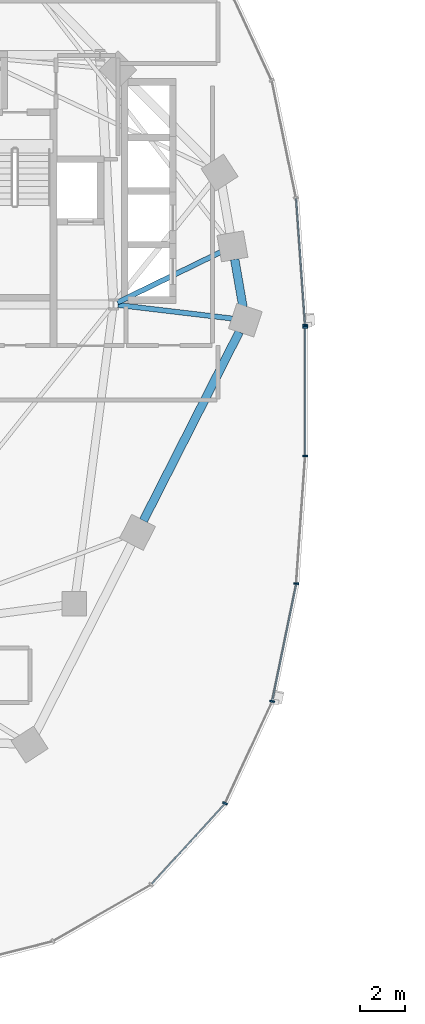
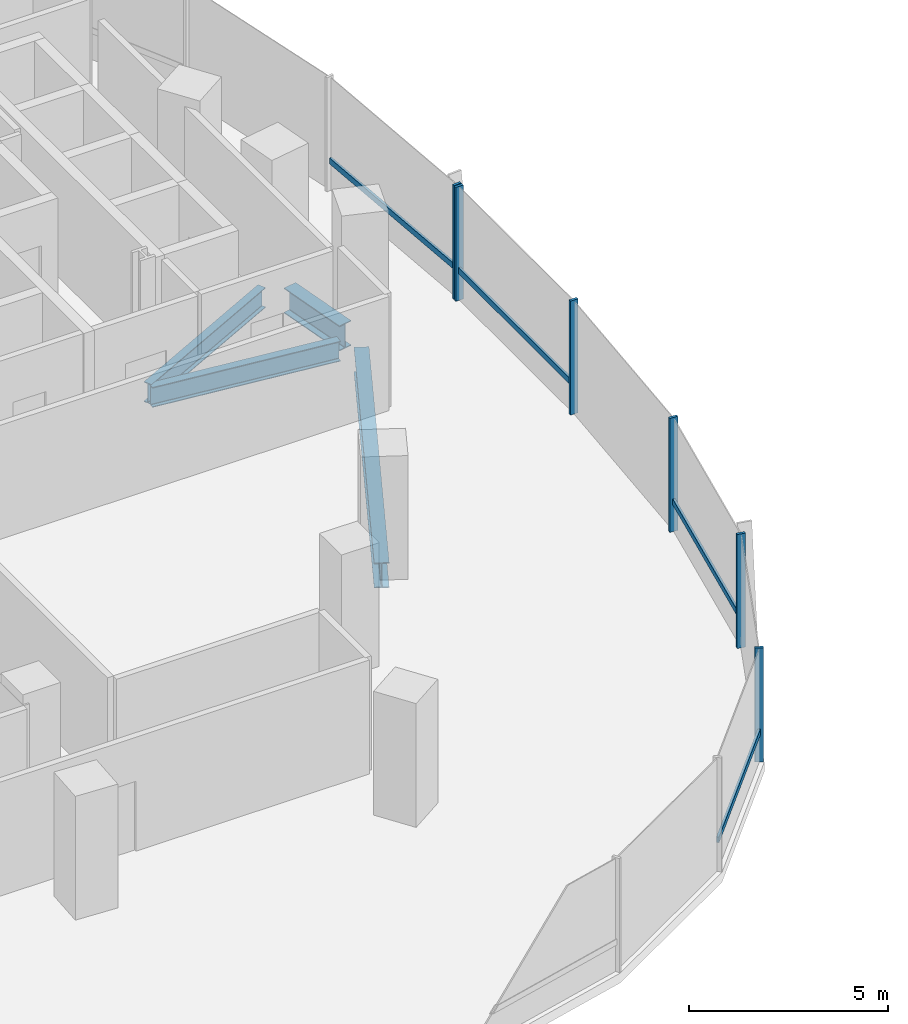
# One storey, part 3 of 21: 10 members, 4 beams, 2 elements without a shape of their own.
"""IFC4 building model written with IfcOpenShell, lengths in metres."""

from ifc_helpers import new_model, si_unit, direction, frame, origin, origin_2d, place, context, subcontext, project, spatial, rectangle, i_section, extrude, material, material_profile, profile_set, type_object, element, aggregate, save


model = new_model("IFC4")

# Units and contexts
model_context = context("Model", 3, precision=1e-05, world=origin(), true_north=direction((0.0, 1.0)))
body_context = subcontext(model_context, "Body", "Model", "MODEL_VIEW")
ifc_project = project(units=[si_unit("LENGTHUNIT", "METRE"), si_unit("AREAUNIT", "SQUARE_METRE"), si_unit("VOLUMEUNIT", "CUBIC_METRE"), si_unit("PLANEANGLEUNIT", "RADIAN"), si_unit("MASSUNIT", "GRAM", prefix="KILO"), si_unit("THERMODYNAMICTEMPERATUREUNIT", "KELVIN"), si_unit("POWERUNIT", "WATT")], contexts=[model_context])

# Site, building, storey
site_placement = place(None, origin())
site = spatial("IfcSite", under=ifc_project, at=site_placement, CompositionType="ELEMENT")
building_placement = place(site_placement, origin())
building = spatial("IfcBuilding", under=site, at=building_placement, Name="Cundina Bronze Exchange", CompositionType="ELEMENT")
storey_placement = place(building_placement, frame((0.0, 0.0, 69.60009765625)))
storey = spatial("IfcBuildingStorey", under=building, at=storey_placement, Name="L17", CompositionType="ELEMENT", Elevation=69.60009765625)

# Beams
ifc_material_1 = material(Name="Steel ASTM A992 Grade 50", Category="steel")
ifc_material_profile_1 = material_profile(ifc_material_1, i_section(OverallWidth=0.22998046875, OverallDepth=0.616943359375, WebThickness=0.01318359375, FlangeThickness=0.022216796875, FilletRadius=0.013916015625, at=origin_2d()), Name="W24X94", Category="steel")
ifc_profile_set_1 = profile_set([ifc_material_profile_1], Name="Steel ASTM A992 Grade 50")
beam_type_1 = type_object("IfcBeamType", Name="BM-FLR-W24B", PredefinedType="BEAM", material=ifc_profile_set_1)
beam_1_placement = place(storey_placement, frame((-21.247314453125, 3.8759765625, -0.608642578125), z_axis=(0.993035236117, -0.117817739878, 0.0), x_axis=(0.117817739878, 0.993035236117, 0.0)))
element("IfcBeam", 1, at=beam_1_placement, inside=storey, type_object=beam_type_1, Name="L17 Leg W Radial Floor Beam 00", PredefinedType="BEAM", context=body_context, shape_type="SweptSolid", body=[
    extrude(i_section(OverallWidth=0.22998046875, OverallDepth=0.616943359375, WebThickness=0.01318359375, FlangeThickness=0.022216796875, FilletRadius=0.013916015625, at=origin_2d()), origin(), (0.0, 0.0, 1.0), 5.1494140625),
])
beam_2_placement = place(storey_placement, frame((-21.2666015625, 3.989501953125, -0.608642578125), z_axis=(0.898610249448, 0.438747785849, 0.0), x_axis=(-0.438747785849, 0.898610249448, 0.0)))
element("IfcBeam", 2, at=beam_2_placement, inside=storey, type_object=beam_type_1, Name="L17 Leg W Radial Floor Beam 01", PredefinedType="BEAM", context=body_context, shape_type="SweptSolid", body=[
    extrude(i_section(OverallWidth=0.22998046875, OverallDepth=0.616943359375, WebThickness=0.01318359375, FlangeThickness=0.022216796875, FilletRadius=0.013916015625, at=origin_2d()), origin(), (0.0, 0.0, 1.0), 5.1337890625),
])
ifc_material_profile_2 = material_profile(ifc_material_1, i_section(OverallWidth=0.381103515625, OverallDepth=0.77294921875, WebThickness=0.0166015625, FlangeThickness=0.027099609375, FilletRadius=0.01904296875, at=origin_2d()), Name="W30X173", Category="steel")
ifc_profile_set_2 = profile_set([ifc_material_profile_2], Name="Steel ASTM A992 Grade 50")
beam_type_2 = type_object("IfcBeamType", Name="BM-RING-W30", PredefinedType="USERDEFINED", material=ifc_profile_set_2)
beam_3_placement = place(storey_placement, frame((-15.65087890625, 3.779296875, -0.6865234375), z_axis=(-0.171734584051, 0.985143254883, 0.0), x_axis=(-0.985143254883, -0.171734584051, 0.0)))
element("IfcBeam", 3, at=beam_3_placement, inside=storey, type_object=beam_type_2, Name="L17 W Perimeter Ring Girder 00", ObjectType="GIRDER", PredefinedType="USERDEFINED", context=body_context, shape_type="SweptSolid", body=[
    extrude(i_section(OverallWidth=0.381103515625, OverallDepth=0.77294921875, WebThickness=0.0166015625, FlangeThickness=0.027099609375, FilletRadius=0.01904296875, at=origin_2d()), origin(), (0.0, 0.0, 1.0), 2.173583984375),
])
beam_4_placement = place(storey_placement, frame((-20.108642578125, -5.775634765625, -0.6865234375), z_axis=(0.452819633606, 0.891602141889, 0.0), x_axis=(-0.891602141889, 0.452819633606, 0.0)))
element("IfcBeam", 4, at=beam_4_placement, inside=storey, type_object=beam_type_2, Name="L17 W Perimeter Ring Girder 13", ObjectType="GIRDER", PredefinedType="USERDEFINED", context=body_context, shape_type="SweptSolid", body=[
    extrude(i_section(OverallWidth=0.381103515625, OverallDepth=0.77294921875, WebThickness=0.0166015625, FlangeThickness=0.027099609375, FilletRadius=0.01904296875, at=origin_2d()), origin(), (0.0, 0.0, 1.0), 9.47900390625),
])

# Curtain wall, member
ifc_material_2 = material(Name="Anodised Bronze Aluminium 6063-T6", Category="aluminium")
curtain_wall_type = type_object("IfcCurtainWallType", Name="CWS-TRD-LOW", PredefinedType="NOTDEFINED", material=ifc_material_2)
curtain_wall_1_placement = place(storey_placement, origin())
curtain_wall_1 = element("IfcCurtainWall", 5, at=curtain_wall_1_placement, inside=storey, type_object=curtain_wall_type, Name="L17 CW-02 Curtain Wall Run CWR-L17-W1", PredefinedType="NOTDEFINED")
ifc_material_profile_3 = material_profile(ifc_material_2, rectangle(XDim=0.074951171875, YDim=0.219970703125, at=origin_2d()), Name="AL75X220", Category="aluminium")
ifc_profile_set_3 = profile_set([ifc_material_profile_3], Name="Anodised Bronze Aluminium 6063-T6")
member_type_1 = type_object("IfcMemberType", Name="CWM-MUL-220", PredefinedType="MULLION", material=ifc_profile_set_3)
member_1_placement = place(storey_placement, frame((-12.87548828125, 2.976318359375, 0.0), z_axis=(0.0, 0.0, 1.0), x_axis=(-0.070278787473, 0.997527389113, 0.0)))
member_1 = element("IfcMember", 6, at=member_1_placement, type_object=member_type_1, Name="CW-02 Mullion 1", PredefinedType="MULLION", context=body_context, shape_type="SweptSolid", body=[
    extrude(rectangle(XDim=0.074951171875, YDim=0.219970703125, at=origin_2d()), origin(), (0.0, 0.0, 1.0), 3.5),
])

# Curtain wall, members
curtain_wall_2_placement = place(storey_placement, origin())
curtain_wall_2 = element("IfcCurtainWall", 7, at=curtain_wall_2_placement, inside=storey, type_object=curtain_wall_type, Name="L17 CW-02 Curtain Wall Run CWR-L17-W4", PredefinedType="NOTDEFINED")
member_2_placement = place(storey_placement, frame((-16.455810546875, -18.423583984375, 0.0), z_axis=(0.0, 0.0, 1.0), x_axis=(0.42087749791, 0.907117485088, 0.0)))
member_2 = element("IfcMember", 8, at=member_2_placement, type_object=member_type_1, Name="CW-02 Mullion 4", PredefinedType="MULLION", context=body_context, shape_type="SweptSolid", body=[
    extrude(rectangle(XDim=0.074951171875, YDim=0.219970703125, at=origin_2d()), origin(), (0.0, 0.0, 1.0), 3.5),
])
member_3_placement = place(storey_placement, frame((-14.348876953125, -13.861328125, 0.0), z_axis=(0.0, 0.0, 1.0), x_axis=(0.201419845156, 0.979505000486, 0.0)))
member_3 = element("IfcMember", 9, at=member_3_placement, type_object=member_type_1, Name="CW-02 Mullion 5", PredefinedType="MULLION", context=body_context, shape_type="SweptSolid", body=[
    extrude(rectangle(XDim=0.074951171875, YDim=0.219970703125, at=origin_2d()), origin(), (0.0, 0.0, 1.0), 3.5),
])
member_4_placement = place(storey_placement, frame((-13.27099609375, -8.591552734375, 0.0), z_axis=(0.0, 0.0, 1.0), x_axis=(0.070278787473, 0.997527389113, 0.0)))
member_4 = element("IfcMember", 10, at=member_4_placement, type_object=member_type_1, Name="CW-02 Mullion 6", PredefinedType="MULLION", context=body_context, shape_type="SweptSolid", body=[
    extrude(rectangle(XDim=0.074951171875, YDim=0.219970703125, at=origin_2d()), origin(), (0.0, 0.0, 1.0), 3.5),
])
member_5_placement = place(storey_placement, frame((-12.8720703125, -2.880615234375, 0.0), z_axis=(0.0, 0.0, 1.0), x_axis=(0.0, 1.0, 0.0)))
member_5 = element("IfcMember", 11, at=member_5_placement, type_object=member_type_1, Name="CW-02 Mullion 7", PredefinedType="MULLION", context=body_context, shape_type="SweptSolid", body=[
    extrude(rectangle(XDim=0.074951171875, YDim=0.219970703125, at=origin_2d()), origin(), (0.0, 0.0, 1.0), 3.5),
])
member_6_placement = place(storey_placement, frame((-12.8720703125, 2.880615234375, 0.0), z_axis=(0.0, 0.0, 1.0), x_axis=(0.0, 1.0, 0.0)))
member_6 = element("IfcMember", 12, at=member_6_placement, type_object=member_type_1, Name="CW-02 End Mullion", PredefinedType="MULLION", context=body_context, shape_type="SweptSolid", body=[
    extrude(rectangle(XDim=0.074951171875, YDim=0.219970703125, at=origin_2d()), origin(), (0.0, 0.0, 1.0), 3.5),
])

# Member
ifc_material_profile_4 = material_profile(ifc_material_2, rectangle(XDim=0.070068359375, YDim=0.179931640625, at=origin_2d()), Name="AL70X180", Category="aluminium")
ifc_profile_set_4 = profile_set([ifc_material_profile_4], Name="Anodised Bronze Aluminium 6063-T6")
member_type_2 = type_object("IfcMemberType", Name="CWM-TRN-180", PredefinedType="USERDEFINED", material=ifc_profile_set_4)
member_7_placement = place(storey_placement, frame((-12.87841796875, 3.017333984375, 0.919921875), z_axis=(-0.070260714471, 0.997528662246, 0.0), x_axis=(-0.997528662246, -0.070260714471, 0.0)))
member_7 = element("IfcMember", 13, at=member_7_placement, type_object=member_type_2, Name="CW-02 Spandrel Transom 1", ObjectType="TRANSOM", PredefinedType="USERDEFINED", context=body_context, shape_type="SweptSolid", body=[
    extrude(rectangle(XDim=0.070068359375, YDim=0.179931640625, at=origin_2d()), origin(), (0.0, 0.0, 1.0), 5.629150390625),
])

aggregate(curtain_wall_1, [member_1, member_7])

member_8_placement = place(storey_placement, frame((-19.73291015625, -22.027099609375, 0.919921875), z_axis=(0.674302794847, 0.738454968743, 0.0), x_axis=(-0.738454968743, 0.674302794847, 0.0)))
member_8 = element("IfcMember", 14, at=member_8_placement, type_object=member_type_2, Name="CW-02 Spandrel Transom 3", ObjectType="TRANSOM", PredefinedType="USERDEFINED", context=body_context, shape_type="SweptSolid", body=[
    extrude(rectangle(XDim=0.070068359375, YDim=0.179931640625, at=origin_2d()), origin(), (0.0, 0.0, 1.0), 4.848388671875),
])

member_9_placement = place(storey_placement, frame((-14.340576171875, -13.821044921875, 0.919921875), z_axis=(0.201427712708, 0.979503382615, 0.0), x_axis=(-0.979503382615, 0.201427712708, 0.0)))
member_9 = element("IfcMember", 15, at=member_9_placement, type_object=member_type_2, Name="CW-02 Spandrel Transom 5", ObjectType="TRANSOM", PredefinedType="USERDEFINED", context=body_context, shape_type="SweptSolid", body=[
    extrude(rectangle(XDim=0.070068359375, YDim=0.179931640625, at=origin_2d()), origin(), (0.0, 0.0, 1.0), 5.291748046875),
])

member_10_placement = place(storey_placement, frame((-12.8720703125, -2.839111328125, 0.919921875), z_axis=(0.0, 1.0, 0.0), x_axis=(-1.0, 0.0, 0.0)))
member_10 = element("IfcMember", 16, at=member_10_placement, type_object=member_type_2, Name="CW-02 Spandrel Transom 7", ObjectType="TRANSOM", PredefinedType="USERDEFINED", context=body_context, shape_type="SweptSolid", body=[
    extrude(rectangle(XDim=0.070068359375, YDim=0.179931640625, at=origin_2d()), origin(), (0.0, 0.0, 1.0), 5.67822265625),
])

aggregate(curtain_wall_2, [member_8, member_2, member_3, member_9, member_4, member_5, member_6, member_10])

save(model, "model.ifc")
